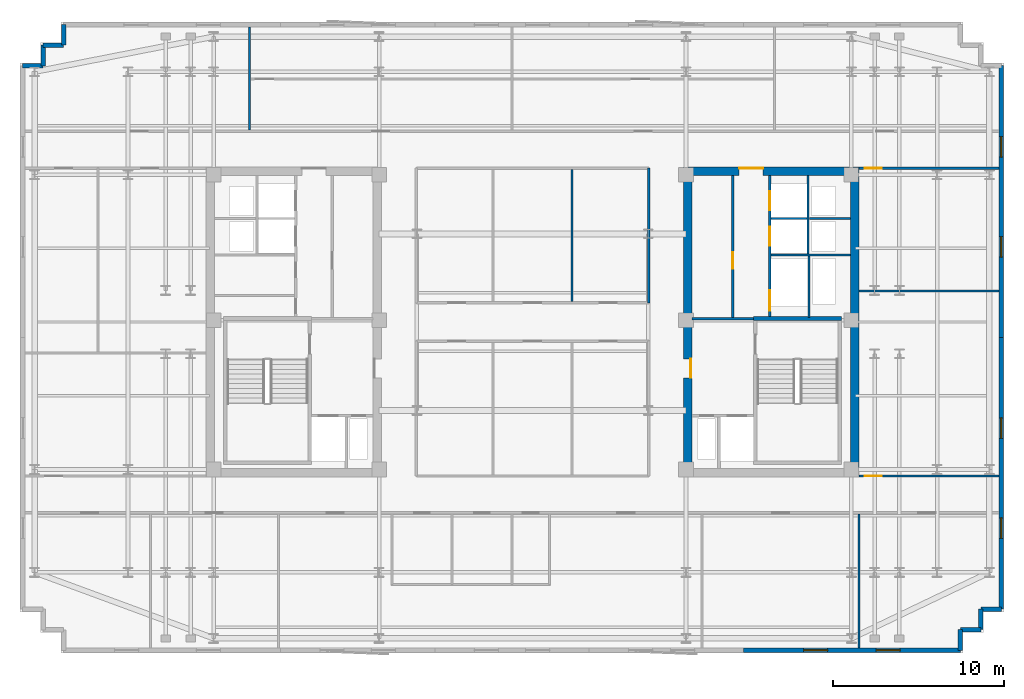
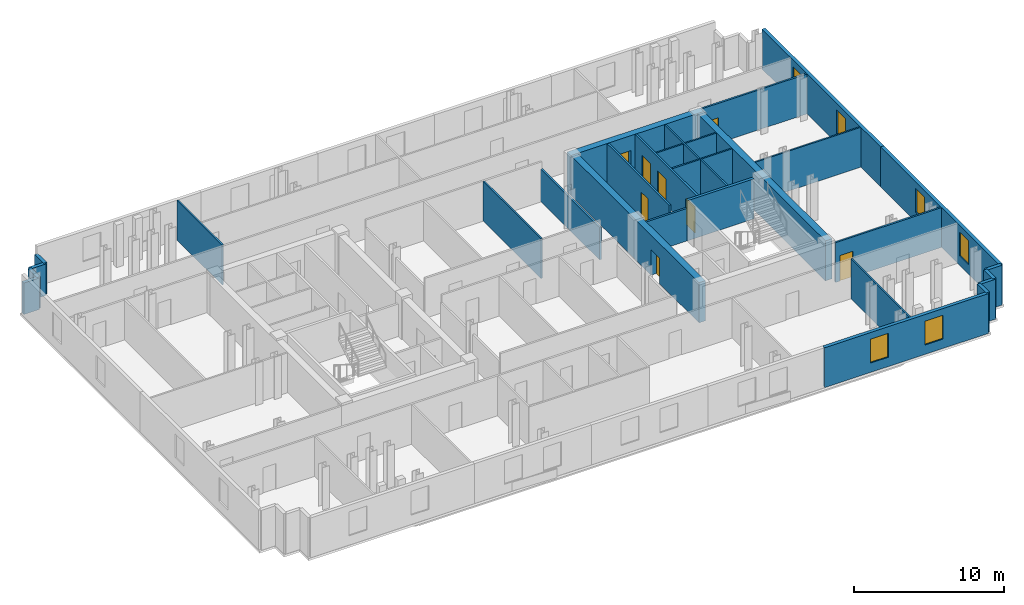
# One storey, part 6 of 9: 30 walls, 8 doors, 6 windows, 14 openings.
"""IFC4 building model written with IfcOpenShell, lengths in metres."""

from ifc_helpers import new_model, si_unit, direction, frame, frame_2d, origin, place, context, subcontext, project, spatial, rectangle, extrude, material, layer, layer_set, type_object, element, fill, save


model = new_model("IFC4")

# Units and contexts
model_context = context("Model", 3, precision=1e-05, world=origin(), true_north=direction((0.0, 1.0)))
body_context = subcontext(model_context, "Body", "Model", "MODEL_VIEW")
ifc_project = project(units=[si_unit("LENGTHUNIT", "METRE"), si_unit("AREAUNIT", "SQUARE_METRE"), si_unit("VOLUMEUNIT", "CUBIC_METRE"), si_unit("PLANEANGLEUNIT", "RADIAN"), si_unit("MASSUNIT", "GRAM", prefix="KILO")], contexts=[model_context])

# Site, building, storey
site_placement = place(None, origin())
site = spatial("IfcSite", under=ifc_project, at=site_placement, CompositionType="ELEMENT")
building_placement = place(site_placement, origin())
building = spatial("IfcBuilding", under=site, at=building_placement, Name="Velakula Bourse", CompositionType="ELEMENT")
storey_placement = place(building_placement, frame((0.0, 0.0, 232.64990234375)))
storey = spatial("IfcBuildingStorey", under=building, at=storey_placement, Name="L63", CompositionType="ELEMENT", Elevation=232.64990234375)

# Wall
ifc_material_1 = material(Name="Concrete M50 (fck 50 MPa)", Category="concrete")
ifc_layer_1 = layer(ifc_material_1, 0.2099609375, Name="Concrete M50 (fck 50 MPa)", Category="concrete")
ifc_layer_set_1 = layer_set([ifc_layer_1], Name="Concrete M50 (fck 50 MPa)")
wall_type_1 = type_object("IfcWallType", Name="WL-CORE-210", PredefinedType="SHEAR", material=ifc_layer_set_1)
wall_1_placement = place(storey_placement, frame((18.030029296875, 0.205078125, 0.0), z_axis=(0.0, 0.0, 1.0), x_axis=(-1.0, 0.0, 0.0)))
element("IfcWall", 1, at=wall_1_placement, inside=storey, type_object=wall_type_1, Name="L63 Core E Stairwell Shear Wall N", PredefinedType="SHEAR", context=body_context, shape_type="SweptSolid", body=[
    extrude(rectangle(XDim=5.14013671875, YDim=0.2099609375, at=frame_2d((2.570068359375, 0.0))), origin(), (0.0, 0.0, 1.0), 3.27001953125),
])

# Wall, opening, door
ifc_layer_2 = layer(ifc_material_1, 0.5, Name="Concrete M50 (fck 50 MPa)", Category="concrete")
ifc_layer_set_2 = layer_set([ifc_layer_2], Name="Concrete M50 (fck 50 MPa)")
wall_type_2 = type_object("IfcWallType", Name="WL-CORE-500", PredefinedType="SHEAR", material=ifc_layer_set_2)
wall_2_placement = place(storey_placement, frame((8.800048828125, 8.800048828125, 0.0), z_axis=(0.0, 0.0, 1.0), x_axis=(1.0, 0.0, 0.0)))
wall_2 = element("IfcWall", 2, at=wall_2_placement, inside=storey, type_object=wall_type_2, Name="L63 Core E Shear Wall N", PredefinedType="SHEAR", context=body_context, shape_type="SweptSolid", body=[
    extrude(rectangle(XDim=10.25, YDim=0.5, at=frame_2d((5.125, 0.0))), origin(), (0.0, 0.0, 1.0), 3.27001953125),
])
opening_1_placement = place(wall_2_placement, frame((3.25, 0.0, 0.0)))
opening_1 = element("IfcOpeningElement", 3, at=opening_1_placement, cuts=wall_2, Name="Opening D-LLE", PredefinedType="OPENING", context=body_context, shape_type="SweptSolid", body=[
    extrude(rectangle(XDim=1.39990234375, YDim=2.050048828125, at=frame_2d((0.699951171875, 1.02490234375))), frame((0.0, 0.260009765625, 0.0), z_axis=(0.0, -1.0, 0.0), x_axis=(1.0, 0.0, 0.0)), (0.0, 0.0, 1.0), 0.52001953125),
])
ifc_material_2 = material(Name="Fire-rated hardwood flush architectural door", Category="wood")
door_type_1 = type_object("IfcDoorType", Name="DR-DBL-FD60-1400", OperationType="DOUBLE_DOOR_SINGLE_SWING", PredefinedType="DOOR", material=ifc_material_2)
door_1_placement = place(opening_1_placement, origin())
door_1 = element("IfcDoor", 4, at=door_1_placement, inside=storey, type_object=door_type_1, Name="L63 Core E Lift Lobby Corridor Double Door", OperationType="DOUBLE_DOOR_SINGLE_SWING", OverallHeight=2.050048828125, OverallWidth=1.39990234375, PredefinedType="DOOR", context=body_context, shape_type="SweptSolid", body=[
    extrude(rectangle(XDim=1.39990234375, YDim=2.050048828125, at=frame_2d((0.699951171875, 1.02490234375))), frame((0.0, 0.19482421875, 0.0), z_axis=(0.0, -1.0, 0.0), x_axis=(1.0, 0.0, 0.0)), (0.0, 0.0, 1.0), 0.050048828125),
])
fill(opening_1, door_1)

wall_3_placement = place(storey_placement, frame((9.050048828125, -8.550048828125, 0.0), z_axis=(0.0, 0.0, 1.0), x_axis=(0.0, 1.0, 0.0)))
wall_3 = element("IfcWall", 5, at=wall_3_placement, inside=storey, type_object=wall_type_2, Name="L63 Core E Shear Wall W", PredefinedType="SHEAR", context=body_context, shape_type="SweptSolid", body=[
    extrude(rectangle(XDim=17.10009765625, YDim=0.5, at=frame_2d((8.550048828125, 0.0))), origin(), (0.0, 0.0, 1.0), 3.27001953125),
])
opening_2_placement = place(wall_3_placement, frame((5.300048828125, 0.0, 0.0)))
opening_2 = element("IfcOpeningElement", 6, at=opening_2_placement, cuts=wall_3, Name="Opening D-FLE", PredefinedType="OPENING", context=body_context, shape_type="SweptSolid", body=[
    extrude(rectangle(XDim=1.10009765625, YDim=2.080078125, at=frame_2d((0.550048828125, 1.0400390625))), frame((0.0, 0.260009765625, 0.0), z_axis=(0.0, -1.0, 0.0), x_axis=(1.0, 0.0, 0.0)), (0.0, 0.0, 1.0), 0.52001953125),
])
ifc_material_3 = material(Name="Galvanised painted hollow steel fire door", Category="steel")
door_type_2 = type_object("IfcDoorType", Name="DR-FD120-1100", OperationType="NOTDEFINED", PredefinedType="DOOR", material=ifc_material_3)
door_2_placement = place(opening_2_placement, origin())
door_2 = element("IfcDoor", 7, at=door_2_placement, inside=storey, type_object=door_type_2, Name="L63 Firefighting Lobby E Corridor Fire Door", OperationType="SINGLE_SWING_RIGHT", OverallHeight=2.080078125, OverallWidth=1.10009765625, PredefinedType="DOOR", context=body_context, shape_type="SweptSolid", body=[
    extrude(rectangle(XDim=1.10009765625, YDim=2.080078125, at=frame_2d((0.550048828125, 1.0400390625))), frame((0.0, -0.15478515625, 0.0), z_axis=(0.0, -1.0, 0.0), x_axis=(1.0, 0.0, 0.0)), (0.0, 0.0, 1.0), 0.050048828125),
])
fill(opening_2, door_2)

# Wall
wall_4_placement = place(storey_placement, frame((18.800048828125, -8.550048828125, 0.0), z_axis=(0.0, 0.0, 1.0), x_axis=(0.0, 1.0, 0.0)))
element("IfcWall", 8, at=wall_4_placement, inside=storey, type_object=wall_type_2, Name="L63 Core E Shear Wall E", PredefinedType="SHEAR", context=body_context, shape_type="SweptSolid", body=[
    extrude(rectangle(XDim=17.10009765625, YDim=0.5, at=frame_2d((8.550048828125, 0.0))), origin(), (0.0, 0.0, 1.0), 3.27001953125),
])

# Wall, openings, windows
ifc_material_4 = material(Name="Buff kilned clay facing brick masonry", Category="masonry")
ifc_layer_3 = layer(ifc_material_4, 0.260009765625, Name="Buff kilned clay facing brick masonry", Category="masonry")
ifc_layer_set_3 = layer_set([ifc_layer_3], Name="Buff kilned clay facing brick masonry")
wall_type_3 = type_object("IfcWallType", Name="WL-EXT-BRK-260", PredefinedType="STANDARD", material=ifc_layer_set_3)
wall_5_placement = place(storey_placement, frame((24.949951171875, -19.14990234375, 0.0), z_axis=(0.0, 0.0, 1.0), x_axis=(-1.0, 0.0, 0.0)))
wall_5 = element("IfcWall", 9, at=wall_5_placement, inside=storey, type_object=wall_type_3, Name="L63 S Brick Spandrel Wall B5", PredefinedType="STANDARD", context=body_context, shape_type="SweptSolid", body=[
    extrude(rectangle(XDim=12.64990234375, YDim=0.260009765625, at=frame_2d((6.324951171875, 0.0))), origin(), (0.0, 0.0, 1.0), 3.25),
])
opening_3_placement = place(wall_5_placement, frame((3.5166015625, 0.0, 0.760009765625)))
opening_3 = element("IfcOpeningElement", 10, at=opening_3_placement, cuts=wall_5, Name="Opening W-03", PredefinedType="OPENING", context=body_context, shape_type="SweptSolid", body=[
    extrude(rectangle(XDim=1.39990234375, YDim=1.949951171875, at=frame_2d((0.699951171875, 0.97509765625))), frame((0.0, 0.139892578125, 0.0), z_axis=(0.0, -1.0, 0.0), x_axis=(1.0, 0.0, 0.0)), (0.0, 0.0, 1.0), 0.280029296875),
])
opening_4_placement = place(wall_5_placement, frame((7.7333984375, 0.0, 0.760009765625)))
opening_4 = element("IfcOpeningElement", 11, at=opening_4_placement, cuts=wall_5, Name="Opening W-03", PredefinedType="OPENING", context=body_context, shape_type="SweptSolid", body=[
    extrude(rectangle(XDim=1.39990234375, YDim=1.949951171875, at=frame_2d((0.699951171875, 0.97509765625))), frame((0.0, 0.139892578125, 0.0), z_axis=(0.0, -1.0, 0.0), x_axis=(1.0, 0.0, 0.0)), (0.0, 0.0, 1.0), 0.280029296875),
])
ifc_material_5 = material(Name="Double-glazed solar-control Low-E glass", Category="glass")
window_type_1 = type_object("IfcWindowType", Name="WIN-TWR-1400x2100", PartitioningType="SINGLE_PANEL", PredefinedType="WINDOW", material=ifc_material_5)
window_1_placement = place(opening_3_placement, origin())
window_1 = element("IfcWindow", 12, at=window_1_placement, inside=storey, type_object=window_type_1, Name="L63 Deep-Set Recessed Window 1", OverallHeight=1.949951171875, OverallWidth=1.39990234375, PartitioningType="SINGLE_PANEL", PredefinedType="WINDOW", context=body_context, shape_type="SweptSolid", body=[
    extrude(rectangle(XDim=1.39990234375, YDim=1.949951171875, at=frame_2d((0.699951171875, 0.97509765625))), frame((0.0, 0.030029296875, 0.0), z_axis=(0.0, -1.0, 0.0), x_axis=(1.0, 0.0, 0.0)), (0.0, 0.0, 1.0), 0.06005859375),
])
fill(opening_3, window_1)
window_2_placement = place(opening_4_placement, origin())
window_2 = element("IfcWindow", 13, at=window_2_placement, inside=storey, type_object=window_type_1, Name="L63 Deep-Set Recessed Window 2", OverallHeight=1.949951171875, OverallWidth=1.39990234375, PartitioningType="SINGLE_PANEL", PredefinedType="WINDOW", context=body_context, shape_type="SweptSolid", body=[
    extrude(rectangle(XDim=1.39990234375, YDim=1.949951171875, at=frame_2d((0.699951171875, 0.97509765625))), frame((0.0, 0.030029296875, 0.0), z_axis=(0.0, -1.0, 0.0), x_axis=(1.0, 0.0, 0.0)), (0.0, 0.0, 1.0), 0.06005859375),
])
fill(opening_4, window_2)

wall_6_placement = place(storey_placement, frame((27.35009765625, -0.89990234375, 0.0), z_axis=(0.0, 0.0, 1.0), x_axis=(0.0, -1.0, 0.0)))
wall_6 = element("IfcWall", 14, at=wall_6_placement, inside=storey, type_object=wall_type_3, Name="L63 E Brick End Wall W1", PredefinedType="STANDARD", context=body_context, shape_type="SweptSolid", body=[
    extrude(rectangle(XDim=15.85009765625, YDim=0.260009765625, at=frame_2d((7.925048828125, 0.0))), origin(), (0.0, 0.0, 1.0), 3.25),
])
opening_5_placement = place(wall_6_placement, frame((4.683349609375, 0.0, 0.760009765625)))
opening_5 = element("IfcOpeningElement", 15, at=opening_5_placement, cuts=wall_6, Name="Opening W-04", PredefinedType="OPENING", context=body_context, shape_type="SweptSolid", body=[
    extrude(rectangle(XDim=1.199951171875, YDim=1.949951171875, at=frame_2d((0.60009765625, 0.97509765625))), frame((0.0, 0.139892578125, 0.0), z_axis=(0.0, -1.0, 0.0), x_axis=(1.0, 0.0, 0.0)), (0.0, 0.0, 1.0), 0.280029296875),
])
opening_6_placement = place(wall_6_placement, frame((10.5166015625, 0.0, 0.760009765625)))
opening_6 = element("IfcOpeningElement", 16, at=opening_6_placement, cuts=wall_6, Name="Opening W-04", PredefinedType="OPENING", context=body_context, shape_type="SweptSolid", body=[
    extrude(rectangle(XDim=1.199951171875, YDim=1.949951171875, at=frame_2d((0.60009765625, 0.97509765625))), frame((0.0, 0.139892578125, 0.0), z_axis=(0.0, -1.0, 0.0), x_axis=(1.0, 0.0, 0.0)), (0.0, 0.0, 1.0), 0.280029296875),
])
window_type_2 = type_object("IfcWindowType", Name="WIN-TWR-1200x2100", PartitioningType="SINGLE_PANEL", PredefinedType="WINDOW", material=ifc_material_5)
window_3_placement = place(opening_5_placement, origin())
window_3 = element("IfcWindow", 17, at=window_3_placement, inside=storey, type_object=window_type_2, Name="L63 Deep-Set Recessed Window 1", OverallHeight=1.949951171875, OverallWidth=1.199951171875, PartitioningType="SINGLE_PANEL", PredefinedType="WINDOW", context=body_context, shape_type="SweptSolid", body=[
    extrude(rectangle(XDim=1.199951171875, YDim=1.949951171875, at=frame_2d((0.60009765625, 0.97509765625))), frame((0.0, 0.030029296875, 0.0), z_axis=(0.0, -1.0, 0.0), x_axis=(1.0, 0.0, 0.0)), (0.0, 0.0, 1.0), 0.06005859375),
])
fill(opening_5, window_3)
window_4_placement = place(opening_6_placement, origin())
window_4 = element("IfcWindow", 18, at=window_4_placement, inside=storey, type_object=window_type_2, Name="L63 Deep-Set Recessed Window 2", OverallHeight=1.949951171875, OverallWidth=1.199951171875, PartitioningType="SINGLE_PANEL", PredefinedType="WINDOW", context=body_context, shape_type="SweptSolid", body=[
    extrude(rectangle(XDim=1.199951171875, YDim=1.949951171875, at=frame_2d((0.60009765625, 0.97509765625))), frame((0.0, 0.030029296875, 0.0), z_axis=(0.0, -1.0, 0.0), x_axis=(1.0, 0.0, 0.0)), (0.0, 0.0, 1.0), 0.06005859375),
])
fill(opening_6, window_4)

wall_7_placement = place(storey_placement, frame((27.35009765625, 14.949951171875, 0.0), z_axis=(0.0, 0.0, 1.0), x_axis=(0.0, -1.0, 0.0)))
wall_7 = element("IfcWall", 19, at=wall_7_placement, inside=storey, type_object=wall_type_3, Name="L63 E Brick End Wall W2", PredefinedType="STANDARD", context=body_context, shape_type="SweptSolid", body=[
    extrude(rectangle(XDim=15.849853515625, YDim=0.260009765625, at=frame_2d((7.9248046875, 0.0))), origin(), (0.0, 0.0, 1.0), 3.25),
])
opening_7_placement = place(wall_7_placement, frame((4.13330078125, 0.0, 0.760009765625)))
opening_7 = element("IfcOpeningElement", 20, at=opening_7_placement, cuts=wall_7, Name="Opening W-04", PredefinedType="OPENING", context=body_context, shape_type="SweptSolid", body=[
    extrude(rectangle(XDim=1.199951171875, YDim=1.949951171875, at=frame_2d((0.60009765625, 0.97509765625))), frame((0.0, 0.139892578125, 0.0), z_axis=(0.0, -1.0, 0.0), x_axis=(1.0, 0.0, 0.0)), (0.0, 0.0, 1.0), 0.280029296875),
])
opening_8_placement = place(wall_7_placement, frame((9.966796875, 0.0, 0.760009765625)))
opening_8 = element("IfcOpeningElement", 21, at=opening_8_placement, cuts=wall_7, Name="Opening W-04", PredefinedType="OPENING", context=body_context, shape_type="SweptSolid", body=[
    extrude(rectangle(XDim=1.199951171875, YDim=1.949951171875, at=frame_2d((0.60009765625, 0.97509765625))), frame((0.0, 0.139892578125, 0.0), z_axis=(0.0, -1.0, 0.0), x_axis=(1.0, 0.0, 0.0)), (0.0, 0.0, 1.0), 0.280029296875),
])
window_5_placement = place(opening_7_placement, origin())
window_5 = element("IfcWindow", 22, at=window_5_placement, inside=storey, type_object=window_type_2, Name="L63 Deep-Set Recessed Window 1", OverallHeight=1.949951171875, OverallWidth=1.199951171875, PartitioningType="SINGLE_PANEL", PredefinedType="WINDOW", context=body_context, shape_type="SweptSolid", body=[
    extrude(rectangle(XDim=1.199951171875, YDim=1.949951171875, at=frame_2d((0.60009765625, 0.97509765625))), frame((0.0, 0.030029296875, 0.0), z_axis=(0.0, -1.0, 0.0), x_axis=(1.0, 0.0, 0.0)), (0.0, 0.0, 1.0), 0.06005859375),
])
fill(opening_7, window_5)
window_6_placement = place(opening_8_placement, origin())
window_6 = element("IfcWindow", 23, at=window_6_placement, inside=storey, type_object=window_type_2, Name="L63 Deep-Set Recessed Window 2", OverallHeight=1.949951171875, OverallWidth=1.199951171875, PartitioningType="SINGLE_PANEL", PredefinedType="WINDOW", context=body_context, shape_type="SweptSolid", body=[
    extrude(rectangle(XDim=1.199951171875, YDim=1.949951171875, at=frame_2d((0.60009765625, 0.97509765625))), frame((0.0, 0.030029296875, 0.0), z_axis=(0.0, -1.0, 0.0), x_axis=(1.0, 0.0, 0.0)), (0.0, 0.0, 1.0), 0.06005859375),
])
fill(opening_8, window_6)

# Walls
for number, where, z_axis, x_axis, name in (
    (24, (24.949951171875, -19.14990234375, 0.0), (0.0, 0.0, 1.0), (0.0, 1.0, 0.0), "L63 Serrated Corner Brick Wall SE-1"),
    (25, (24.949951171875, -17.949951171875, 0.0), (0.0, 0.0, 1.0), (1.0, 0.0, 0.0), "L63 Serrated Corner Brick Wall SE-2"),
    (26, (26.14990234375, -17.949951171875, 0.0), (0.0, 0.0, 1.0), (0.0, 1.0, 0.0), "L63 Serrated Corner Brick Wall SE-3"),
):
    element("IfcWall", number, at=place(storey_placement, frame(where, z_axis=z_axis, x_axis=x_axis)), inside=storey, type_object=wall_type_3, Name=name, PredefinedType="STANDARD", context=body_context, shape_type="SweptSolid", body=[
        extrude(rectangle(XDim=1.199951171875, YDim=0.260009765625, at=frame_2d((0.60009765625, 0.0))), origin(), (0.0, 0.0, 1.0), 3.25),
    ])
wall_8_placement = place(storey_placement, frame((26.14990234375, -16.75, 0.0), z_axis=(0.0, 0.0, 1.0), x_axis=(1.0, 0.0, 0.0)))
element("IfcWall", 27, at=wall_8_placement, inside=storey, type_object=wall_type_3, Name="L63 Serrated Corner Brick Wall SE-4", PredefinedType="STANDARD", context=body_context, shape_type="SweptSolid", body=[
    extrude(rectangle(XDim=1.2001953125, YDim=0.260009765625, at=frame_2d((0.60009765625, 0.0))), origin(), (0.0, 0.0, 1.0), 3.25),
])
wall_9_placement = place(storey_placement, frame((-27.35009765625, 17.35009765625, 0.0), z_axis=(0.0, 0.0, 1.0), x_axis=(0.0, -1.0, 0.0)))
element("IfcWall", 28, at=wall_9_placement, inside=storey, type_object=wall_type_3, Name="L63 Serrated Corner Brick Wall NW-1", PredefinedType="STANDARD", context=body_context, shape_type="SweptSolid", body=[
    extrude(rectangle(XDim=1.2001953125, YDim=0.260009765625, at=frame_2d((0.60009765625, 0.0))), origin(), (0.0, 0.0, 1.0), 2.565185546875),
])
for number, where, z_axis, x_axis, name in (
    (29, (-27.35009765625, 16.14990234375, 0.0), (0.0, 0.0, 1.0), (-1.0, 0.0, 0.0), "L63 Serrated Corner Brick Wall NW-2"),
    (30, (-28.550048828125, 16.14990234375, 0.0), (0.0, 0.0, 1.0), (0.0, -1.0, 0.0), "L63 Serrated Corner Brick Wall NW-3"),
    (31, (-28.550048828125, 14.949951171875, 0.0), (0.0, 0.0, 1.0), (-1.0, 0.0, 0.0), "L63 Serrated Corner Brick Wall NW-4"),
):
    element("IfcWall", number, at=place(storey_placement, frame(where, z_axis=z_axis, x_axis=x_axis)), inside=storey, type_object=wall_type_3, Name=name, PredefinedType="STANDARD", context=body_context, shape_type="SweptSolid", body=[
        extrude(rectangle(XDim=1.199951171875, YDim=0.260009765625, at=frame_2d((0.60009765625, 0.0))), origin(), (0.0, 0.0, 1.0), 2.565185546875),
    ])
ifc_material_6 = material(Name="Fire-rated double-layer gypsum drywall partition", Category="gypsum")
ifc_layer_4 = layer(ifc_material_6, 0.1201171875, Name="Fire-rated double-layer gypsum drywall partition", Category="gypsum")
ifc_layer_set_4 = layer_set([ifc_layer_4], Name="Fire-rated double-layer gypsum drywall partition")
wall_type_4 = type_object("IfcWallType", Name="WL-PART-120", PredefinedType="STANDARD", material=ifc_layer_set_4)
wall_10_placement = place(storey_placement, frame((13.89990234375, 3.919921875, 0.0), z_axis=(0.0, 0.0, 1.0), x_axis=(1.0, 0.0, 0.0)))
element("IfcWall", 32, at=wall_10_placement, inside=storey, type_object=wall_type_4, Name="L63 Interior Partition WL-CRE-L63-HI-S", PredefinedType="STANDARD", context=body_context, shape_type="SweptSolid", body=[
    extrude(rectangle(XDim=4.650146484375, YDim=0.1201171875, at=frame_2d((2.3251953125, 0.0))), origin(), (0.0, 0.0, 1.0), 3.25),
])
wall_11_placement = place(storey_placement, frame((16.14990234375, 6.030029296875, 0.0), z_axis=(0.0, 0.0, 1.0), x_axis=(1.0, 0.0, 0.0)))
element("IfcWall", 33, at=wall_11_placement, inside=storey, type_object=wall_type_4, Name="L63 Interior Partition WL-CRE-L63-RIS-MID", PredefinedType="STANDARD", context=body_context, shape_type="SweptSolid", body=[
    extrude(rectangle(XDim=2.400146484375, YDim=0.1201171875, at=frame_2d((1.2001953125, 0.0))), origin(), (0.0, 0.0, 1.0), 3.25),
])
wall_12_placement = place(storey_placement, frame((16.074951171875, 3.97998046875, 0.0), z_axis=(0.0, 0.0, 1.0), x_axis=(0.0, 1.0, 0.0)))
element("IfcWall", 34, at=wall_12_placement, inside=storey, type_object=wall_type_4, Name="L63 Interior Partition WL-CRE-L63-RIS-F", PredefinedType="STANDARD", context=body_context, shape_type="SweptSolid", body=[
    extrude(rectangle(XDim=4.570068359375, YDim=0.1201171875, at=frame_2d((2.28515625, 0.0))), origin(), (0.0, 0.0, 1.0), 3.25),
])
wall_13_placement = place(storey_placement, frame((13.89990234375, 6.030029296875, 0.0), z_axis=(0.0, 0.0, 1.0), x_axis=(1.0, 0.0, 0.0)))
element("IfcWall", 35, at=wall_13_placement, inside=storey, type_object=wall_type_4, Name="L63 Interior Partition WL-CRE-L63-HI-DIV", PredefinedType="STANDARD", context=body_context, shape_type="SweptSolid", body=[
    extrude(rectangle(XDim=2.10009765625, YDim=0.1201171875, at=frame_2d((1.050048828125, 0.0))), origin(), (0.0, 0.0, 1.0), 3.25),
])
wall_14_placement = place(storey_placement, frame((16.125, 0.27001953125, 0.0), z_axis=(0.0, 0.0, 1.0), x_axis=(0.0, 1.0, 0.0)))
element("IfcWall", 36, at=wall_14_placement, inside=storey, type_object=wall_type_4, Name="L63 Interior Partition WL-CRE-L63-SVL-E", PredefinedType="STANDARD", context=body_context, shape_type="SweptSolid", body=[
    extrude(rectangle(XDim=3.590087890625, YDim=0.1201171875, at=frame_2d((1.794921875, 0.0))), origin(), (0.0, 0.0, 1.0), 3.25),
])
wall_15_placement = place(storey_placement, frame((-16.513916015625, 11.18994140625, 0.0), z_axis=(0.0, 0.0, 1.0), x_axis=(0.0, 1.0, 0.0)))
element("IfcWall", 37, at=wall_15_placement, inside=storey, type_object=wall_type_4, Name="L63 Interior Partition WL-INT-L63-N-D1", PredefinedType="STANDARD", context=body_context, shape_type="SweptSolid", body=[
    extrude(rectangle(XDim=6.030029296875, YDim=0.1201171875, at=frame_2d((3.01513671875, 0.0))), origin(), (0.0, 0.0, 1.0), 3.25),
])
wall_16_placement = place(storey_placement, frame((19.050048828125, -19.02001953125, 0.0), z_axis=(0.0, 0.0, 1.0), x_axis=(0.0, 1.0, 0.0)))
element("IfcWall", 38, at=wall_16_placement, inside=storey, type_object=wall_type_4, Name="L63 Interior Partition WL-INT-L63-SR-D8", PredefinedType="STANDARD", context=body_context, shape_type="SweptSolid", body=[
    extrude(rectangle(XDim=7.830078125, YDim=0.1201171875, at=frame_2d((3.9150390625, 0.0))), origin(), (0.0, 0.0, 1.0), 3.25),
])
wall_17_placement = place(storey_placement, frame((19.050048828125, 1.800048828125, 0.0), z_axis=(0.0, 0.0, 1.0), x_axis=(1.0, 0.0, 0.0)))
element("IfcWall", 39, at=wall_17_placement, inside=storey, type_object=wall_type_4, Name="L63 Interior Partition WL-INT-L63-E-H", PredefinedType="STANDARD", context=body_context, shape_type="SweptSolid", body=[
    extrude(rectangle(XDim=8.169921875, YDim=0.1201171875, at=frame_2d((4.0849609375, 0.0))), origin(), (0.0, 0.0, 1.0), 3.25),
])

# Wall, opening, door
ifc_layer_5 = layer(ifc_material_6, 0.139892578125, Name="Fire-rated double-layer gypsum drywall partition", Category="gypsum")
ifc_layer_set_5 = layer_set([ifc_layer_5], Name="Fire-rated double-layer gypsum drywall partition")
wall_type_5 = type_object("IfcWallType", Name="WL-PART-140", PredefinedType="STANDARD", material=ifc_layer_set_5)
wall_18_placement = place(storey_placement, frame((19.050048828125, 8.97998046875, 0.0), z_axis=(0.0, 0.0, 1.0), x_axis=(1.0, 0.0, 0.0)))
wall_18 = element("IfcWall", 40, at=wall_18_placement, inside=storey, type_object=wall_type_5, Name="L63 Interior Partition WL-INT-L63-E-NC", PredefinedType="STANDARD", context=body_context, shape_type="SweptSolid", body=[
    extrude(rectangle(XDim=8.169921875, YDim=0.139892578125, at=frame_2d((4.0849609375, 0.0))), origin(), (0.0, 0.0, 1.0), 3.25),
])
opening_9_placement = place(wall_18_placement, frame((0.320068359375, 0.0, 0.0)))
opening_9 = element("IfcOpeningElement", 41, at=opening_9_placement, cuts=wall_18, Name="Opening D-OF1", PredefinedType="OPENING", context=body_context, shape_type="SweptSolid", body=[
    extrude(rectangle(XDim=1.0, YDim=2.080078125, at=frame_2d((0.5, 1.0400390625))), frame((0.0, 0.079833984375, 0.0), z_axis=(0.0, -1.0, 0.0), x_axis=(1.0, 0.0, 0.0)), (0.0, 0.0, 1.0), 0.159912109375),
])
door_type_3 = type_object("IfcDoorType", Name="DR-OFF-1000", OperationType="NOTDEFINED", PredefinedType="DOOR", material=ifc_material_2)
door_3_placement = place(opening_9_placement, origin())
door_3 = element("IfcDoor", 42, at=door_3_placement, inside=storey, type_object=door_type_3, Name="L63 Legal Counsel Office Door", OperationType="SINGLE_SWING_LEFT", OverallHeight=2.080078125, OverallWidth=1.0, PredefinedType="DOOR", context=body_context, shape_type="SweptSolid", body=[
    extrude(rectangle(XDim=1.0, YDim=2.080078125, at=frame_2d((0.5, 1.0400390625))), frame((0.0, 0.02490234375, 0.0), z_axis=(0.0, -1.0, 0.0), x_axis=(1.0, 0.0, 0.0)), (0.0, 0.0, 1.0), 0.050048828125),
])
fill(opening_9, door_3)

wall_19_placement = place(storey_placement, frame((19.050048828125, -8.97998046875, 0.0), z_axis=(0.0, 0.0, 1.0), x_axis=(1.0, 0.0, 0.0)))
wall_19 = element("IfcWall", 43, at=wall_19_placement, inside=storey, type_object=wall_type_5, Name="L63 Interior Partition WL-INT-L63-E-SC", PredefinedType="STANDARD", context=body_context, shape_type="SweptSolid", body=[
    extrude(rectangle(XDim=8.169921875, YDim=0.139892578125, at=frame_2d((4.0849609375, 0.0))), origin(), (0.0, 0.0, 1.0), 3.25),
])
opening_10_placement = place(wall_19_placement, frame((0.320068359375, 0.0, 0.0)))
opening_10 = element("IfcOpeningElement", 44, at=opening_10_placement, cuts=wall_19, Name="Opening D-OF1", PredefinedType="OPENING", context=body_context, shape_type="SweptSolid", body=[
    extrude(rectangle(XDim=1.0, YDim=2.080078125, at=frame_2d((0.5, 1.0400390625))), frame((0.0, 0.079833984375, 0.0), z_axis=(0.0, -1.0, 0.0), x_axis=(1.0, 0.0, 0.0)), (0.0, 0.0, 1.0), 0.159912109375),
])
door_4_placement = place(opening_10_placement, origin())
door_4 = element("IfcDoor", 45, at=door_4_placement, inside=storey, type_object=door_type_3, Name="L63 Corporate Filings Workspace Door", OperationType="SINGLE_SWING_RIGHT", OverallHeight=2.080078125, OverallWidth=1.0, PredefinedType="DOOR", context=body_context, shape_type="SweptSolid", body=[
    extrude(rectangle(XDim=1.0, YDim=2.080078125, at=frame_2d((0.5, 1.0400390625))), frame((0.0, 0.02490234375, 0.0), z_axis=(0.0, -1.0, 0.0), x_axis=(1.0, 0.0, 0.0)), (0.0, 0.0, 1.0), 0.050048828125),
])
fill(opening_10, door_4)

# Walls
wall_20_placement = place(storey_placement, frame((6.780029296875, 1.1201171875, 0.0), z_axis=(0.0, 0.0, 1.0), x_axis=(0.0, 1.0, 0.0)))
element("IfcWall", 46, at=wall_20_placement, inside=storey, type_object=wall_type_5, Name="L63 Interior Partition WL-INT-L63-MN-E", PredefinedType="STANDARD", context=body_context, shape_type="SweptSolid", body=[
    extrude(rectangle(XDim=7.85986328125, YDim=0.139892578125, at=frame_2d((3.929931640625, 0.0))), origin(), (0.0, 0.0, 1.0), 2.64501953125),
])
wall_21_placement = place(storey_placement, frame((2.300048828125, 1.18994140625, 0.0), z_axis=(0.0, 0.0, 1.0), x_axis=(0.0, 1.0, 0.0)))
element("IfcWall", 47, at=wall_21_placement, inside=storey, type_object=wall_type_5, Name="L63 Interior Partition WL-INT-L63-MN-V2", PredefinedType="STANDARD", context=body_context, shape_type="SweptSolid", body=[
    extrude(rectangle(XDim=7.719970703125, YDim=0.1201171875, at=frame_2d((3.85986328125, 0.0))), origin(), (0.0, 0.0, 1.0), 3.25),
])
ifc_material_7 = material(Name="Autoclaved aerated concrete blockwork masonry", Category="masonry")
ifc_layer_6 = layer(ifc_material_7, 0.14990234375, Name="Autoclaved aerated concrete blockwork masonry", Category="masonry")
ifc_layer_set_6 = layer_set([ifc_layer_6], Name="Autoclaved aerated concrete blockwork masonry")
wall_type_6 = type_object("IfcWallType", Name="WL-SHAFT-150", PredefinedType="STANDARD", material=ifc_layer_set_6)
wall_22_placement = place(storey_placement, frame((9.300048828125, 0.18994140625, 0.0), z_axis=(0.0, 0.0, 1.0), x_axis=(1.0, 0.0, 0.0)))
element("IfcWall", 48, at=wall_22_placement, inside=storey, type_object=wall_type_6, Name="L63 Interior Partition WL-CRE-L63-FF-TOP", PredefinedType="STANDARD", context=body_context, shape_type="SweptSolid", body=[
    extrude(rectangle(XDim=3.58984375, YDim=0.14990234375, at=frame_2d((1.794921875, 0.0))), origin(), (0.0, 0.0, 1.0), 2.64501953125),
])

# Wall, opening, door
wall_23_placement = place(storey_placement, frame((11.675048828125, 0.27001953125, 0.0), z_axis=(0.0, 0.0, 1.0), x_axis=(0.0, 1.0, 0.0)))
wall_23 = element("IfcWall", 49, at=wall_23_placement, inside=storey, type_object=wall_type_6, Name="L63 Interior Partition WL-CRE-L63-BANK-F", PredefinedType="STANDARD", context=body_context, shape_type="SweptSolid", body=[
    extrude(rectangle(XDim=8.280029296875, YDim=0.14990234375, at=frame_2d((4.14013671875, 0.0))), origin(), (0.0, 0.0, 1.0), 3.25),
])
opening_11_placement = place(wall_23_placement, frame((2.85009765625, 0.0, 0.0)))
opening_11 = element("IfcOpeningElement", 50, at=opening_11_placement, cuts=wall_23, Name="Opening D-RC5", PredefinedType="OPENING", context=body_context, shape_type="SweptSolid", body=[
    extrude(rectangle(XDim=0.949951171875, YDim=2.050048828125, at=frame_2d((0.47509765625, 1.02490234375))), frame((0.0, 0.0849609375, 0.0), z_axis=(0.0, -1.0, 0.0), x_axis=(1.0, 0.0, 0.0)), (0.0, 0.0, 1.0), 0.169921875),
])
door_type_4 = type_object("IfcDoorType", Name="DR-FD60-950x2050", OperationType="NOTDEFINED", PredefinedType="DOOR", material=ifc_material_2)
door_5_placement = place(opening_11_placement, origin())
door_5 = element("IfcDoor", 51, at=door_5_placement, inside=storey, type_object=door_type_4, Name="L63 Reclaimed Multi-Bay Depository Room Door", OperationType="SINGLE_SWING_LEFT", OverallHeight=2.050048828125, OverallWidth=0.949951171875, PredefinedType="DOOR", context=body_context, shape_type="SweptSolid", body=[
    extrude(rectangle(XDim=0.949951171875, YDim=2.050048828125, at=frame_2d((0.47509765625, 1.02490234375))), frame((0.0, 0.02490234375, 0.0), z_axis=(0.0, -1.0, 0.0), x_axis=(1.0, 0.0, 0.0)), (0.0, 0.0, 1.0), 0.050048828125),
])
fill(opening_11, door_5)

# Wall, openings, doors
wall_24_placement = place(storey_placement, frame((13.824951171875, 0.27001953125, 0.0), z_axis=(0.0, 0.0, 1.0), x_axis=(0.0, 1.0, 0.0)))
wall_24 = element("IfcWall", 52, at=wall_24_placement, inside=storey, type_object=wall_type_6, Name="L63 Interior Partition WL-CRE-L63-OUT-F", PredefinedType="STANDARD", context=body_context, shape_type="SweptSolid", body=[
    extrude(rectangle(XDim=8.280029296875, YDim=0.14990234375, at=frame_2d((4.14013671875, 0.0))), origin(), (0.0, 0.0, 1.0), 3.25),
])
opening_12_placement = place(wall_24_placement, frame((4.175048828125, 0.0, 0.0)))
opening_12 = element("IfcOpeningElement", 53, at=opening_12_placement, cuts=wall_24, Name="Opening LD-P11", PredefinedType="OPENING", context=body_context, shape_type="SweptSolid", body=[
    extrude(rectangle(XDim=1.10009765625, YDim=2.10009765625, at=frame_2d((0.550048828125, 1.050048828125))), frame((0.0, 0.0849609375, 0.0), z_axis=(0.0, -1.0, 0.0), x_axis=(1.0, 0.0, 0.0)), (0.0, 0.0, 1.0), 0.169921875),
])
opening_13_placement = place(wall_24_placement, frame((6.2451171875, 0.0, 0.0)))
opening_13 = element("IfcOpeningElement", 54, at=opening_13_placement, cuts=wall_24, Name="Opening LD-P12", PredefinedType="OPENING", context=body_context, shape_type="SweptSolid", body=[
    extrude(rectangle(XDim=1.10009765625, YDim=2.10009765625, at=frame_2d((0.550048828125, 1.050048828125))), frame((0.0, 0.0849609375, 0.0), z_axis=(0.0, -1.0, 0.0), x_axis=(1.0, 0.0, 0.0)), (0.0, 0.0, 1.0), 0.169921875),
])
opening_14_placement = place(wall_24_placement, frame((0.3798828125, 0.0, 0.0)))
opening_14 = element("IfcOpeningElement", 55, at=opening_14_placement, cuts=wall_24, Name="Opening LD-SVL1", PredefinedType="OPENING", context=body_context, shape_type="SweptSolid", body=[
    extrude(rectangle(XDim=1.199951171875, YDim=2.10009765625, at=frame_2d((0.60009765625, 1.050048828125))), frame((0.0, 0.0849609375, 0.0), z_axis=(0.0, -1.0, 0.0), x_axis=(1.0, 0.0, 0.0)), (0.0, 0.0, 1.0), 0.169921875),
])
ifc_material_8 = material(Name="Brushed grade 316 stainless steel", Category="steel")
door_type_5 = type_object("IfcDoorType", Name="DR-SLIDE-LD-1100", OperationType="DOUBLE_DOOR_SLIDING", PredefinedType="DOOR", material=ifc_material_8)
door_6_placement = place(opening_12_placement, origin())
door_6 = element("IfcDoor", 56, at=door_6_placement, inside=storey, type_object=door_type_5, Name="L63 Passenger Lift P11 Sliding Landing Door", OperationType="DOUBLE_DOOR_SLIDING", OverallHeight=2.10009765625, OverallWidth=1.10009765625, PredefinedType="DOOR", context=body_context, shape_type="SweptSolid", body=[
    extrude(rectangle(XDim=1.10009765625, YDim=2.10009765625, at=frame_2d((0.550048828125, 1.050048828125))), frame((0.0, 0.02490234375, 0.0), z_axis=(0.0, -1.0, 0.0), x_axis=(1.0, 0.0, 0.0)), (0.0, 0.0, 1.0), 0.050048828125),
])
fill(opening_12, door_6)
door_7_placement = place(opening_13_placement, origin())
door_7 = element("IfcDoor", 57, at=door_7_placement, inside=storey, type_object=door_type_5, Name="L63 Passenger Lift P12 Sliding Landing Door", OperationType="DOUBLE_DOOR_SLIDING", OverallHeight=2.10009765625, OverallWidth=1.10009765625, PredefinedType="DOOR", context=body_context, shape_type="SweptSolid", body=[
    extrude(rectangle(XDim=1.10009765625, YDim=2.10009765625, at=frame_2d((0.550048828125, 1.050048828125))), frame((0.0, 0.02490234375, 0.0), z_axis=(0.0, -1.0, 0.0), x_axis=(1.0, 0.0, 0.0)), (0.0, 0.0, 1.0), 0.050048828125),
])
fill(opening_13, door_7)
door_type_6 = type_object("IfcDoorType", Name="DR-SLIDE-LD-1200", OperationType="DOUBLE_DOOR_SLIDING", PredefinedType="DOOR", material=ifc_material_8)
door_8_placement = place(opening_14_placement, origin())
door_8 = element("IfcDoor", 58, at=door_8_placement, inside=storey, type_object=door_type_6, Name="L63 Service Lift SVL-1 Sliding Landing Door", OperationType="DOUBLE_DOOR_SLIDING", OverallHeight=2.10009765625, OverallWidth=1.199951171875, PredefinedType="DOOR", context=body_context, shape_type="SweptSolid", body=[
    extrude(rectangle(XDim=1.199951171875, YDim=2.10009765625, at=frame_2d((0.60009765625, 1.050048828125))), frame((0.0, 0.02490234375, 0.0), z_axis=(0.0, -1.0, 0.0), x_axis=(1.0, 0.0, 0.0)), (0.0, 0.0, 1.0), 0.050048828125),
])
fill(opening_14, door_8)

save(model, "model.ifc")
